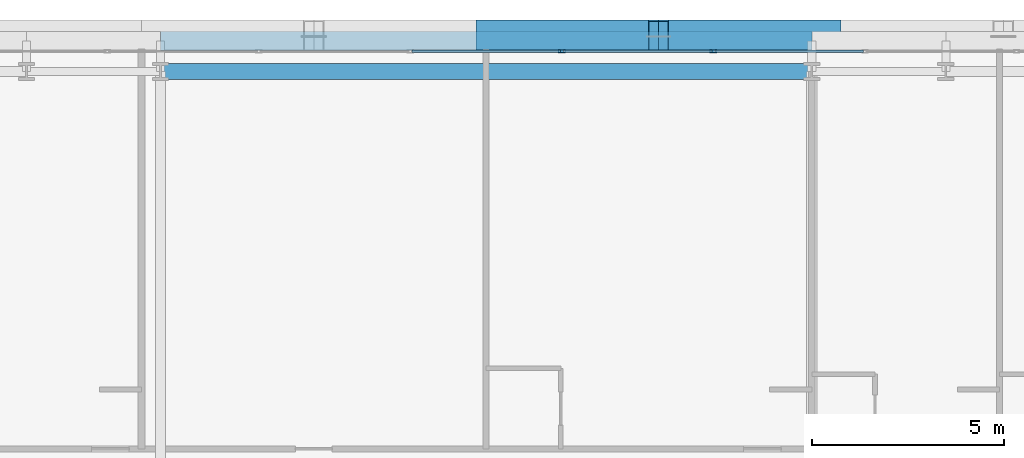
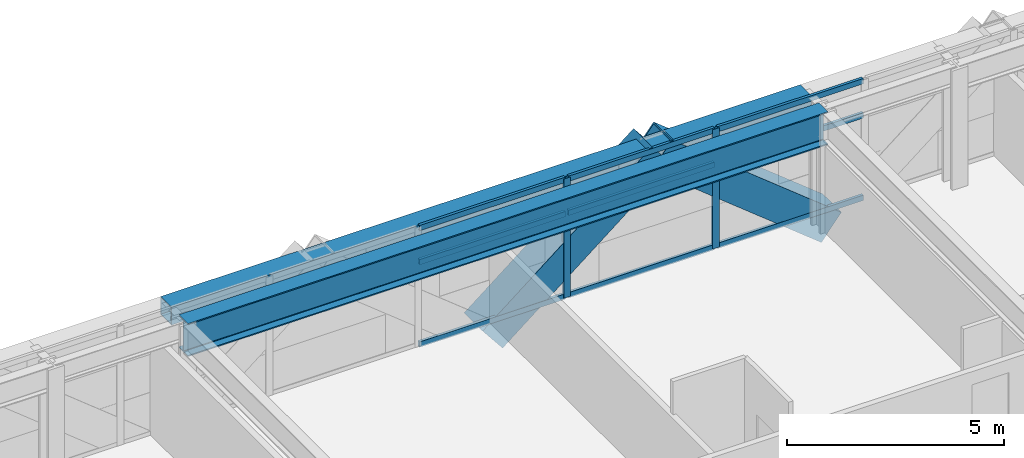
# One storey, part 19 of 35: 13 members, 2 beams, 1 element without a shape of its own.
"""IFC4 building model written with IfcOpenShell, lengths in metres."""

from ifc_helpers import new_model, si_unit, direction, frame, origin, origin_2d, place, context, subcontext, project, spatial, hollow_rectangle, i_section, extrude, source, transform, mapped, material, layer, layer_set, material_profile, profile_set, type_object, element, aggregate, save


model = new_model("IFC4")

# Units and contexts
model_context = context("Model", 3, precision=1e-05, world=origin(), true_north=direction((0.0, 1.0)))
body_context = subcontext(model_context, "Body", "Model", "MODEL_VIEW")
ifc_project = project(units=[si_unit("LENGTHUNIT", "METRE"), si_unit("AREAUNIT", "SQUARE_METRE"), si_unit("VOLUMEUNIT", "CUBIC_METRE"), si_unit("PLANEANGLEUNIT", "RADIAN"), si_unit("MASSUNIT", "GRAM", prefix="KILO")], contexts=[model_context])

# Site, building, storey
site_placement = place(None, origin())
site = spatial("IfcSite", under=ifc_project, at=site_placement, CompositionType="ELEMENT")
building_placement = place(site_placement, origin())
building = spatial("IfcBuilding", under=site, at=building_placement, Name="Ocotamira Hotel", CompositionType="ELEMENT")
storey_placement = place(building_placement, frame((0.0, 0.0, 78.0)))
storey = spatial("IfcBuildingStorey", under=building, at=storey_placement, Name="L19", CompositionType="ELEMENT", Elevation=78.0)

# Beams
ifc_material_1 = material(Name="Steel ASTM A992 Grade 50", Category="steel")
ifc_material_profile_1 = material_profile(ifc_material_1, i_section(OverallWidth=0.41796875, OverallDepth=0.927001953125, WebThickness=0.019287109375, FlangeThickness=0.031982421875, FilletRadius=0.02392578125, at=origin_2d()), Name="W36X231")
ifc_profile_set_1 = profile_set([ifc_material_profile_1], Name="Steel ASTM A992 Grade 50")
beam_type_1 = type_object("IfcBeamType", Name="BM-GIRD-W36X231", PredefinedType="BEAM", material=ifc_profile_set_1)
shared_shape_1 = source(origin(), body_context, "Body", "SweptSolid", [
    extrude(i_section(OverallWidth=0.41796875, OverallDepth=0.927001953125, WebThickness=0.019287109375, FlangeThickness=0.031982421875, FilletRadius=0.02392578125, at=origin_2d()), origin(), (0.0, 0.0, 1.0), 17.0),
])
beam_1_placement = place(storey_placement, frame((23.5, 49.050048828125, 2.886474609375), z_axis=(1.0, 0.0, 0.0), x_axis=(0.0, 1.0, 0.0)))
element("IfcBeam", 1, at=beam_1_placement, inside=storey, type_object=beam_type_1, Name="L19 Girder Y49.05 X23.5-40.5", PredefinedType="BEAM", context=body_context, shape_type="MappedRepresentation", body=[
    mapped(shared_shape_1, transform((0.0, 0.0, 0.0), scale=1.0)),
])
ifc_material_2 = material(Name="Steel ASTM A500 Grade C", Category="steel")
ifc_material_profile_2 = material_profile(ifc_material_2, hollow_rectangle(XDim=0.5, YDim=0.5, WallThickness=0.02001953125, at=origin_2d()), Name="HSS500X500X20")
ifc_profile_set_2 = profile_set([ifc_material_profile_2], Name="Steel ASTM A500 Grade C")
beam_type_2 = type_object("IfcBeamType", Name="BM-SPAN-HSS500", PredefinedType="USERDEFINED", material=ifc_profile_set_2)
shared_shape_2 = source(origin(), body_context, "Body", "SweptSolid", [
    extrude(hollow_rectangle(XDim=0.5, YDim=0.5, WallThickness=0.02001953125, at=origin_2d()), origin(), (0.0, 0.0, 1.0), 17.0),
])
beam_2_placement = place(storey_placement, frame((23.5, 49.85009765625, 3.10009765625), z_axis=(1.0, 0.0, 0.0), x_axis=(0.0, 1.0, 0.0)))
element("IfcBeam", 2, at=beam_2_placement, inside=storey, type_object=beam_type_2, Name="L19 Edge Spandrel N X23.5-40.5", ObjectType="SPANDREL", PredefinedType="USERDEFINED", context=body_context, shape_type="MappedRepresentation", body=[
    mapped(shared_shape_2, transform((0.0, 0.0, 0.0), scale=1.0)),
])

# Members
ifc_material_3 = material(Name="Pale-metal coated steel ASTM A913 Grade 65", Category="steel")
ifc_material_profile_3 = material_profile(ifc_material_3, hollow_rectangle(XDim=0.85009765625, YDim=0.85009765625, WallThickness=0.035888671875, at=origin_2d()), Name="BOX850X850X36")
ifc_profile_set_3 = profile_set([ifc_material_profile_3], Name="Pale-metal coated steel ASTM A913 Grade 65")
member_type_1 = type_object("IfcMemberType", Name="MEM-EXO-BOX850", PredefinedType="BRACE", material=ifc_profile_set_3)
shared_shape_3 = source(origin(), body_context, "Body", "SweptSolid", [
    extrude(hollow_rectangle(XDim=0.85009765625, YDim=0.85009765625, WallThickness=0.035888671875, at=origin_2d()), origin(), (0.0, 0.0, 1.0), 5.762939453125),
])
for number, where, z_axis, x_axis, name in (
    (3, (32.0, 49.969970703125, -0.5), (0.780860543151, 0.0, 0.624705380279), (0.0, 1.0, 0.0), "L19 Exoskeleton Diagrid N2.1"),
    (4, (41.0, 49.969970703125, -0.5), (-0.780860543151, 0.0, 0.624705380279), (0.0, -1.0, 0.0), "L19 Exoskeleton Diagrid N2.2"),
):
    element("IfcMember", number, at=place(storey_placement, frame(where, z_axis=z_axis, x_axis=x_axis)), inside=storey, type_object=member_type_1, Name=name, PredefinedType="BRACE", context=body_context, shape_type="MappedRepresentation", body=[
        mapped(shared_shape_3, transform((0.0, 0.0, 0.0), scale=1.0)),
    ])

# Curtain wall, members
ifc_material_4 = material(Name="Anodised pale-metal aluminium and solar glass", Category="aluminium")
ifc_layer = layer(ifc_material_4, 0.179931640625)
ifc_layer_set = layer_set([ifc_layer], Name="Anodised pale-metal aluminium and solar glass")
curtain_wall_type = type_object("IfcCurtainWallType", Name="CW-SYS2-Z1", PredefinedType="NOTDEFINED", material=ifc_layer_set)
curtain_wall_placement = place(storey_placement, origin())
curtain_wall = element("IfcCurtainWall", 5, at=curtain_wall_placement, inside=storey, type_object=curtain_wall_type, Name="L19 Curtain Wall CW-2 CW-L19-N", PredefinedType="NOTDEFINED")
ifc_material_5 = material(Name="Anodised pale-metal aluminium 6063-T6", Category="aluminium")
ifc_material_profile_4 = material_profile(ifc_material_5, hollow_rectangle(XDim=0.074951171875, YDim=0.14990234375, WallThickness=0.006103515625, at=origin_2d()), Name="HSS150X75X6")
ifc_profile_set_4 = profile_set([ifc_material_profile_4], Name="Anodised pale-metal aluminium 6063-T6")
member_type_2 = type_object("IfcMemberType", Name="CWT-150X75", PredefinedType="USERDEFINED", material=ifc_profile_set_4)
shared_shape_4 = source(origin(), body_context, "Body", "SweptSolid", [
    extrude(hollow_rectangle(XDim=0.074951171875, YDim=0.14990234375, WallThickness=0.006103515625, at=origin_2d()), origin(), (0.0, 0.0, 1.0), 3.87548828125),
])
member_1_placement = place(storey_placement, frame((30.062255859375, 49.580078125, 0.03759765625), z_axis=(1.0, 0.0, 0.0), x_axis=(0.0, 1.0, 0.0)))
member_1 = element("IfcMember", 6, at=member_1_placement, type_object=member_type_2, Name="CW-2 transom 5.1", ObjectType="TRANSOM", PredefinedType="USERDEFINED", context=body_context, shape_type="MappedRepresentation", body=[
    mapped(shared_shape_4, transform((0.0, 0.0, 0.0), scale=1.0)),
])
member_2_placement = place(storey_placement, frame((30.062255859375, 49.580078125, 2.35009765625), z_axis=(1.0, 0.0, 0.0), x_axis=(0.0, 1.0, 0.0)))
member_2 = element("IfcMember", 7, at=member_2_placement, type_object=member_type_2, Name="CW-2 transom 5.2", ObjectType="TRANSOM", PredefinedType="USERDEFINED", context=body_context, shape_type="MappedRepresentation", body=[
    mapped(shared_shape_4, transform((0.0, 0.0, 0.0), scale=1.0)),
])
member_3_placement = place(storey_placement, frame((30.062255859375, 49.580078125, 3.3125), z_axis=(1.0, 0.0, 0.0), x_axis=(0.0, 1.0, 0.0)))
member_3 = element("IfcMember", 8, at=member_3_placement, type_object=member_type_2, Name="CW-2 transom 5.3", ObjectType="TRANSOM", PredefinedType="USERDEFINED", context=body_context, shape_type="MappedRepresentation", body=[
    mapped(shared_shape_4, transform((0.0, 0.0, 0.0), scale=1.0)),
])
member_4_placement = place(storey_placement, frame((34.017822265625, 49.580078125, 0.03759765625), z_axis=(1.0, 0.0, 0.0), x_axis=(0.0, 1.0, 0.0)))
member_4 = element("IfcMember", 9, at=member_4_placement, type_object=member_type_2, Name="CW-2 transom 6.1", ObjectType="TRANSOM", PredefinedType="USERDEFINED", context=body_context, shape_type="MappedRepresentation", body=[
    mapped(shared_shape_4, transform((0.0, 0.0, 0.0), scale=1.0)),
])
member_5_placement = place(storey_placement, frame((34.017822265625, 49.580078125, 2.35009765625), z_axis=(1.0, 0.0, 0.0), x_axis=(0.0, 1.0, 0.0)))
member_5 = element("IfcMember", 10, at=member_5_placement, type_object=member_type_2, Name="CW-2 transom 6.2", ObjectType="TRANSOM", PredefinedType="USERDEFINED", context=body_context, shape_type="MappedRepresentation", body=[
    mapped(shared_shape_4, transform((0.0, 0.0, 0.0), scale=1.0)),
])
member_6_placement = place(storey_placement, frame((34.017822265625, 49.580078125, 3.3125), z_axis=(1.0, 0.0, 0.0), x_axis=(0.0, 1.0, 0.0)))
member_6 = element("IfcMember", 11, at=member_6_placement, type_object=member_type_2, Name="CW-2 transom 6.3", ObjectType="TRANSOM", PredefinedType="USERDEFINED", context=body_context, shape_type="MappedRepresentation", body=[
    mapped(shared_shape_4, transform((0.0, 0.0, 0.0), scale=1.0)),
])
member_7_placement = place(storey_placement, frame((37.973388671875, 49.580078125, 0.03759765625), z_axis=(1.0, 0.0, 0.0), x_axis=(0.0, 1.0, 0.0)))
member_7 = element("IfcMember", 12, at=member_7_placement, type_object=member_type_2, Name="CW-2 transom 7.1", ObjectType="TRANSOM", PredefinedType="USERDEFINED", context=body_context, shape_type="MappedRepresentation", body=[
    mapped(shared_shape_4, transform((0.0, 0.0, 0.0), scale=1.0)),
])
member_8_placement = place(storey_placement, frame((37.973388671875, 49.580078125, 2.35009765625), z_axis=(1.0, 0.0, 0.0), x_axis=(0.0, 1.0, 0.0)))
member_8 = element("IfcMember", 13, at=member_8_placement, type_object=member_type_2, Name="CW-2 transom 7.2", ObjectType="TRANSOM", PredefinedType="USERDEFINED", context=body_context, shape_type="MappedRepresentation", body=[
    mapped(shared_shape_4, transform((0.0, 0.0, 0.0), scale=1.0)),
])
member_9_placement = place(storey_placement, frame((37.973388671875, 49.580078125, 3.3125), z_axis=(1.0, 0.0, 0.0), x_axis=(0.0, 1.0, 0.0)))
member_9 = element("IfcMember", 14, at=member_9_placement, type_object=member_type_2, Name="CW-2 transom 7.3", ObjectType="TRANSOM", PredefinedType="USERDEFINED", context=body_context, shape_type="MappedRepresentation", body=[
    mapped(shared_shape_4, transform((0.0, 0.0, 0.0), scale=1.0)),
])
ifc_material_profile_5 = material_profile(ifc_material_5, hollow_rectangle(XDim=0.080078125, YDim=0.179931640625, WallThickness=0.006103515625, at=origin_2d()), Name="HSS180X80X6")
ifc_profile_set_5 = profile_set([ifc_material_profile_5], Name="Anodised pale-metal aluminium 6063-T6")
member_type_3 = type_object("IfcMemberType", Name="CWM-180X75", PredefinedType="MULLION", material=ifc_profile_set_5)
shared_shape_5 = source(origin(), body_context, "Body", "SweptSolid", [
    extrude(hollow_rectangle(XDim=0.080078125, YDim=0.179931640625, WallThickness=0.006103515625, at=origin_2d()), origin(), (0.0, 0.0, 1.0), 3.35009765625),
])
member_10_placement = place(storey_placement, frame((33.977783203125, 49.580078125, 0.0), z_axis=(0.0, 0.0, 1.0), x_axis=(0.0, 1.0, 0.0)))
member_10 = element("IfcMember", 15, at=member_10_placement, type_object=member_type_3, Name="CW-2 mullion 6", PredefinedType="MULLION", context=body_context, shape_type="MappedRepresentation", body=[
    mapped(shared_shape_5, transform((0.0, 0.0, 0.0), scale=1.0)),
])
member_11_placement = place(storey_placement, frame((37.933349609375, 49.580078125, 0.0), z_axis=(0.0, 0.0, 1.0), x_axis=(0.0, 1.0, 0.0)))
member_11 = element("IfcMember", 16, at=member_11_placement, type_object=member_type_3, Name="CW-2 mullion 7", PredefinedType="MULLION", context=body_context, shape_type="MappedRepresentation", body=[
    mapped(shared_shape_5, transform((0.0, 0.0, 0.0), scale=1.0)),
])
aggregate(curtain_wall, [member_10, member_11, member_1, member_2, member_3, member_4, member_5, member_6, member_7, member_8, member_9])

save(model, "model.ifc")
